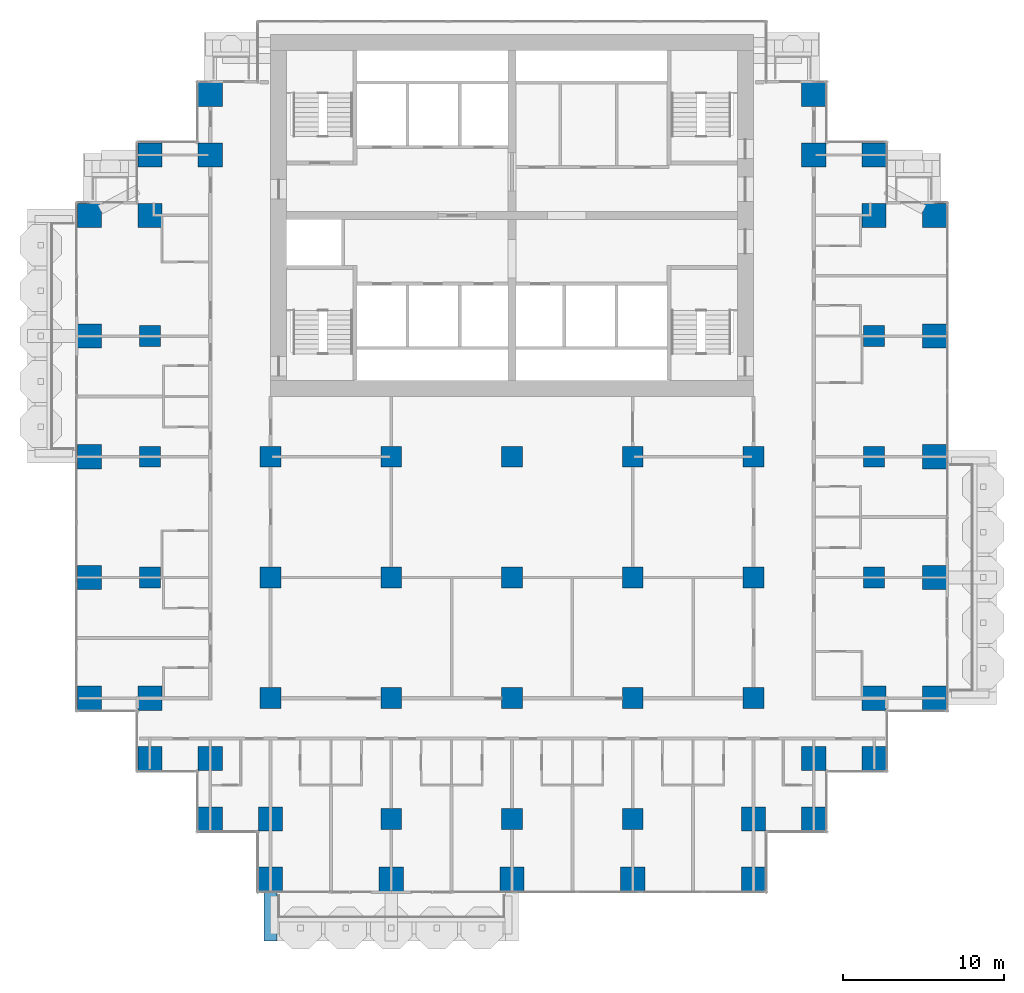
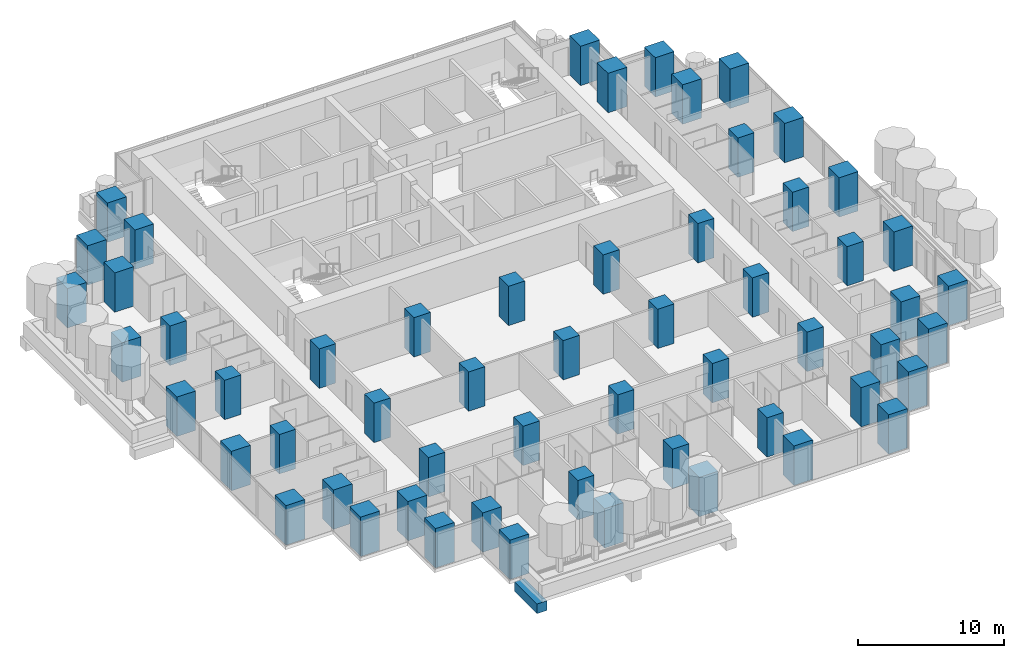
# One storey, part 1 of 19: 57 columns, 1 beam.
"""IFC4 building model written with IfcOpenShell, lengths in metres."""

from ifc_helpers import new_model, si_unit, direction, frame, origin, origin_2d, place, context, subcontext, project, spatial, rectangle, extrude, material, material_profile, profile_set, type_object, element, save


model = new_model("IFC4")

# Units and contexts
model_context = context("Model", 3, precision=1e-05, world=origin(), true_north=direction((0.0, 1.0)))
body_context = subcontext(model_context, "Body", "Model", "MODEL_VIEW")
ifc_project = project(units=[si_unit("LENGTHUNIT", "METRE"), si_unit("AREAUNIT", "SQUARE_METRE"), si_unit("VOLUMEUNIT", "CUBIC_METRE"), si_unit("PLANEANGLEUNIT", "RADIAN"), si_unit("MASSUNIT", "GRAM", prefix="KILO")], contexts=[model_context])

# Site, building, storey
site_placement = place(None, origin())
site = spatial("IfcSite", under=ifc_project, at=site_placement, CompositionType="ELEMENT")
building_placement = place(site_placement, origin())
building = spatial("IfcBuilding", under=site, at=building_placement, Name="Pilkhan Gate Tower", CompositionType="ELEMENT")
storey_placement = place(building_placement, frame((0.0, 0.0, 95.60009765625)))
storey = spatial("IfcBuildingStorey", under=building, at=storey_placement, Name="L23", CompositionType="ELEMENT", Elevation=95.60009765625)

# Columns
ifc_material_1 = material(Name="Concrete C70/85", Category="concrete")
ifc_material_profile_1 = material_profile(ifc_material_1, rectangle(XDim=1.300048828125, YDim=1.300048828125, at=origin_2d()), Name="RC 1300x1300")
ifc_profile_set_1 = profile_set([ifc_material_profile_1], Name="Concrete C70/85")
column_type_1 = type_object("IfcColumnType", Name="Column C130 RC 1300x1300 C70/85", PredefinedType="COLUMN", material=ifc_profile_set_1)
for number, where, z_axis, x_axis, name in (
    (1, (52.5, 60.0, 0.0), (0.0, 0.0, 1.0), (1.0, 0.0, 0.0), "Column 5/F L23"),
    (2, (52.5, 67.5, 0.0), (0.0, 0.0, 1.0), (1.0, 0.0, 0.0), "Column 5/H L23"),
    (3, (52.5, 75.0, 0.0), (0.0, 0.0, 1.0), (1.0, 0.0, 0.0), "Column 5/K L23"),
    (4, (60.0, 52.5, 0.0), (0.0, 0.0, 1.0), (1.0, 0.0, 0.0), "Column 7/D L23"),
    (5, (60.0, 60.0, 0.0), (0.0, 0.0, 1.0), (1.0, 0.0, 0.0), "Column 7/F L23"),
    (6, (60.0, 67.5, 0.0), (0.0, 0.0, 1.0), (1.0, 0.0, 0.0), "Column 7/H L23"),
    (7, (67.5, 45.0, 0.0), (0.0, 0.0, 1.0), (1.0, 0.0, 0.0), "Column 9/B L23"),
    (8, (67.5, 52.5, 0.0), (0.0, 0.0, 1.0), (1.0, 0.0, 0.0), "Column 9/D L23"),
    (9, (67.5, 60.0, 0.0), (0.0, 0.0, 1.0), (1.0, 0.0, 0.0), "Column 9/F L23"),
    (10, (67.5, 67.5, 0.0), (0.0, 0.0, 1.0), (1.0, 0.0, 0.0), "Column 9/H L23"),
    (11, (75.0, 45.0, 0.0), (0.0, 0.0, 1.0), (1.0, 0.0, 0.0), "Column 11/B L23"),
    (12, (75.0, 52.5, 0.0), (0.0, 0.0, 1.0), (1.0, 0.0, 0.0), "Column 11/D L23"),
    (13, (75.0, 60.0, 0.0), (0.0, 0.0, 1.0), (1.0, 0.0, 0.0), "Column 11/F L23"),
    (14, (75.0, 67.5, 0.0), (0.0, 0.0, 1.0), (1.0, 0.0, 0.0), "Column 11/H L23"),
    (15, (82.5, 45.0, 0.0), (0.0, 0.0, 1.0), (1.0, 0.0, 0.0), "Column 13/B L23"),
    (16, (82.5, 52.5, 0.0), (0.0, 0.0, 1.0), (1.0, 0.0, 0.0), "Column 13/D L23"),
    (17, (82.5, 60.0, 0.0), (0.0, 0.0, 1.0), (1.0, 0.0, 0.0), "Column 13/F L23"),
    (18, (82.5, 67.5, 0.0), (0.0, 0.0, 1.0), (1.0, 0.0, 0.0), "Column 13/H L23"),
    (19, (90.0, 52.5, 0.0), (0.0, 0.0, 1.0), (1.0, 0.0, 0.0), "Column 15/D L23"),
    (20, (90.0, 60.0, 0.0), (0.0, 0.0, 1.0), (1.0, 0.0, 0.0), "Column 15/F L23"),
    (21, (90.0, 67.5, 0.0), (0.0, 0.0, 1.0), (1.0, 0.0, 0.0), "Column 15/H L23"),
    (22, (97.5, 60.0, 0.0), (0.0, 0.0, 1.0), (1.0, 0.0, 0.0), "Column 17/F L23"),
    (23, (97.5, 67.5, 0.0), (0.0, 0.0, 1.0), (1.0, 0.0, 0.0), "Column 17/H L23"),
    (24, (97.5, 75.0, 0.0), (0.0, 0.0, 1.0), (1.0, 0.0, 0.0), "Column 17/K L23"),
):
    element("IfcColumn", number, at=place(storey_placement, frame(where, z_axis=z_axis, x_axis=x_axis)), inside=storey, type_object=column_type_1, Name=name, PredefinedType="COLUMN", context=body_context, shape_type="SweptSolid", body=[
        extrude(rectangle(XDim=1.300048828125, YDim=1.300048828125, at=origin_2d()), origin(), (0.0, 0.0, 1.0), 3.2998046875),
    ])
ifc_material_profile_2 = material_profile(ifc_material_1, rectangle(XDim=1.5, YDim=1.5, at=origin_2d()), Name="RC 1500x1500")
ifc_profile_set_2 = profile_set([ifc_material_profile_2], Name="Concrete C70/85")
column_type_2 = type_object("IfcColumnType", Name="Column C150 RC 1500x1500 C70/85", PredefinedType="COLUMN", material=ifc_profile_set_2)
for number, where, z_axis, x_axis, name in (
    (25, (48.75, 52.5, 0.0), (0.0, 0.0, 1.0), (1.0, 0.0, 0.0), "Column 4/D L23"),
    (26, (48.75, 60.0, 0.0), (0.0, 0.0, 1.0), (1.0, 0.0, 0.0), "Column 4/F L23"),
    (27, (48.75, 67.5, 0.0), (0.0, 0.0, 1.0), (1.0, 0.0, 0.0), "Column 4/H L23"),
    (28, (48.75, 75.0, 0.0), (0.0, 0.0, 1.0), (1.0, 0.0, 0.0), "Column 4/K L23"),
    (29, (48.75, 82.5, 0.0), (0.0, 0.0, 1.0), (1.0, 0.0, 0.0), "Column 4/M L23"),
    (30, (52.5, 48.75, 0.0), (0.0, 0.0, 1.0), (1.0, 0.0, 0.0), "Column 5/C L23"),
    (31, (52.5, 52.5, 0.0), (0.0, 0.0, 1.0), (1.0, 0.0, 0.0), "Column 5/D L23"),
    (32, (52.5, 82.5, 0.0), (0.0, 0.0, 1.0), (1.0, 0.0, 0.0), "Column 5/M L23"),
    (33, (52.5, 86.25, 0.0), (0.0, 0.0, 1.0), (1.0, 0.0, 0.0), "Column 5/N L23"),
    (34, (56.25, 45.0, 0.0), (0.0, 0.0, 1.0), (1.0, 0.0, 0.0), "Column 6/B L23"),
    (35, (56.25, 48.75, 0.0), (0.0, 0.0, 1.0), (1.0, 0.0, 0.0), "Column 6/C L23"),
    (36, (56.25, 86.25, 0.0), (0.0, 0.0, 1.0), (1.0, 0.0, 0.0), "Column 6/N L23"),
    (37, (56.25, 90.0, 0.0), (0.0, 0.0, 1.0), (1.0, 0.0, 0.0), "Column 6/P L23"),
    (38, (60.0, 41.25, 0.0), (0.0, 0.0, 1.0), (1.0, 0.0, 0.0), "Column 7/A L23"),
    (39, (60.0, 45.0, 0.0), (0.0, 0.0, 1.0), (1.0, 0.0, 0.0), "Column 7/B L23"),
    (40, (67.5, 41.25, 0.0), (0.0, 0.0, 1.0), (1.0, 0.0, 0.0), "Column 9/A L23"),
    (41, (75.0, 41.25, 0.0), (0.0, 0.0, 1.0), (1.0, 0.0, 0.0), "Column 11/A L23"),
    (42, (82.5, 41.25, 0.0), (0.0, 0.0, 1.0), (1.0, 0.0, 0.0), "Column 13/A L23"),
    (43, (90.0, 41.25, 0.0), (0.0, 0.0, 1.0), (1.0, 0.0, 0.0), "Column 15/A L23"),
    (44, (90.0, 45.0, 0.0), (0.0, 0.0, 1.0), (1.0, 0.0, 0.0), "Column 15/B L23"),
    (45, (93.75, 45.0, 0.0), (0.0, 0.0, 1.0), (1.0, 0.0, 0.0), "Column 16/B L23"),
    (46, (93.75, 48.75, 0.0), (0.0, 0.0, 1.0), (1.0, 0.0, 0.0), "Column 16/C L23"),
    (47, (93.75, 86.25, 0.0), (0.0, 0.0, 1.0), (1.0, 0.0, 0.0), "Column 16/N L23"),
    (48, (93.75, 90.0, 0.0), (0.0, 0.0, 1.0), (1.0, 0.0, 0.0), "Column 16/P L23"),
    (49, (97.5, 48.75, 0.0), (0.0, 0.0, 1.0), (1.0, 0.0, 0.0), "Column 17/C L23"),
    (50, (97.5, 52.5, 0.0), (0.0, 0.0, 1.0), (1.0, 0.0, 0.0), "Column 17/D L23"),
    (51, (97.5, 82.5, 0.0), (0.0, 0.0, 1.0), (1.0, 0.0, 0.0), "Column 17/M L23"),
    (52, (97.5, 86.25, 0.0), (0.0, 0.0, 1.0), (1.0, 0.0, 0.0), "Column 17/N L23"),
    (53, (101.25, 52.5, 0.0), (0.0, 0.0, 1.0), (1.0, 0.0, 0.0), "Column 18/D L23"),
    (54, (101.25, 60.0, 0.0), (0.0, 0.0, 1.0), (1.0, 0.0, 0.0), "Column 18/F L23"),
    (55, (101.25, 67.5, 0.0), (0.0, 0.0, 1.0), (1.0, 0.0, 0.0), "Column 18/H L23"),
    (56, (101.25, 75.0, 0.0), (0.0, 0.0, 1.0), (1.0, 0.0, 0.0), "Column 18/K L23"),
    (57, (101.25, 82.5, 0.0), (0.0, 0.0, 1.0), (1.0, 0.0, 0.0), "Column 18/M L23"),
):
    element("IfcColumn", number, at=place(storey_placement, frame(where, z_axis=z_axis, x_axis=x_axis)), inside=storey, type_object=column_type_2, Name=name, PredefinedType="COLUMN", context=body_context, shape_type="SweptSolid", body=[
        extrude(rectangle(XDim=1.5, YDim=1.5, at=origin_2d()), origin(), (0.0, 0.0, 1.0), 3.2998046875),
    ])

# Beam
ifc_material_2 = material(Name="Concrete C50/60", Category="concrete")
ifc_material_profile_3 = material_profile(ifc_material_2, rectangle(XDim=0.800048828125, YDim=0.800048828125, at=origin_2d()), Name="RC 800x800")
ifc_profile_set_3 = profile_set([ifc_material_profile_3], Name="Concrete C50/60")
beam_type = type_object("IfcBeamType", Name="Cantilever beam CB2 RC 800x800 C50/60", PredefinedType="BEAM", material=ifc_profile_set_3)
beam_placement = place(storey_placement, frame((60.0, 40.5, -0.7001953125), z_axis=(0.0, -1.0, 0.0), x_axis=(1.0, 0.0, 0.0)))
element("IfcBeam", 58, at=beam_placement, inside=storey, type_object=beam_type, Name="Balcony beam S.1 L23", PredefinedType="BEAM", context=body_context, shape_type="SweptSolid", body=[
    extrude(rectangle(XDim=0.800048828125, YDim=0.800048828125, at=origin_2d()), origin(), (0.0, 0.0, 1.0), 3.10009765625),
])

save(model, "model.ifc")
